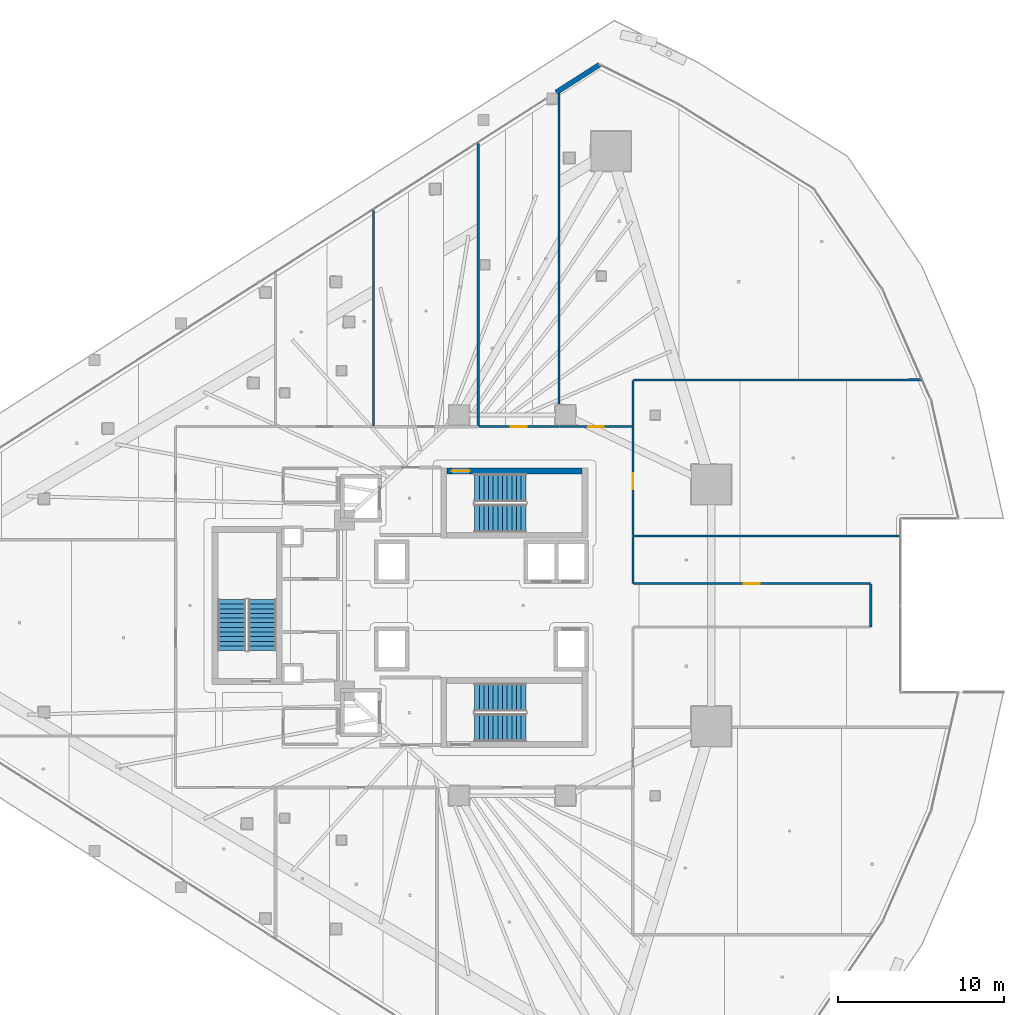
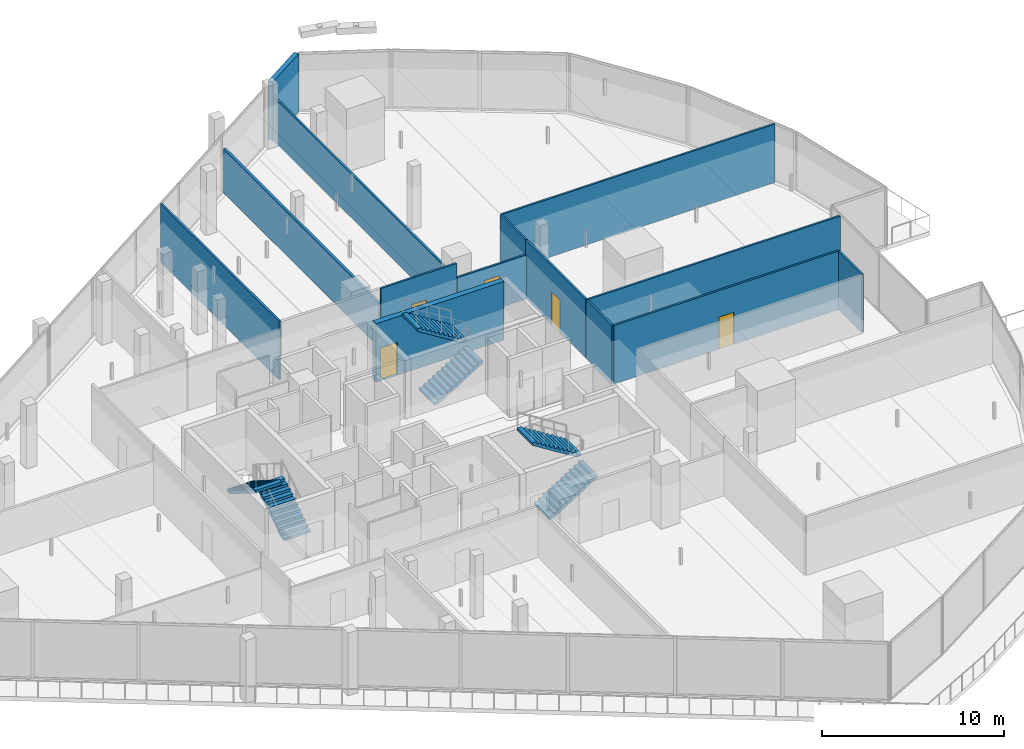
# One storey, part 31 of 45: 14 walls, 6 stair flights, 5 doors, 5 openings, 3 elements without a shape of their own.
"""IFC4 building model written with IfcOpenShell, lengths in metres."""

from ifc_helpers import new_model, si_unit, direction, frame, frame_2d, origin, place, context, subcontext, project, spatial, polyline, rectangle, outline, extrude, material, layer, layer_set, type_object, element, fill, aggregate, save


model = new_model("IFC4")

# Units and contexts
model_context = context("Model", 3, precision=1e-05, world=origin(), true_north=direction((0.0, 1.0)))
body_context = subcontext(model_context, "Body", "Model", "MODEL_VIEW")
ifc_project = project(units=[si_unit("LENGTHUNIT", "METRE"), si_unit("AREAUNIT", "SQUARE_METRE"), si_unit("VOLUMEUNIT", "CUBIC_METRE"), si_unit("PLANEANGLEUNIT", "RADIAN"), si_unit("MASSUNIT", "GRAM", prefix="KILO")], contexts=[model_context])

# Site, building, storey
site_placement = place(None, origin())
site = spatial("IfcSite", under=ifc_project, at=site_placement, CompositionType="ELEMENT")
building_placement = place(site_placement, origin())
building = spatial("IfcBuilding", under=site, at=building_placement, Name="Qorvath Tower", CompositionType="ELEMENT")
storey_placement = place(building_placement, frame((0.0, 0.0, 66.0)))
storey = spatial("IfcBuildingStorey", under=building, at=storey_placement, Name="L14", CompositionType="ELEMENT", Elevation=66.0)

# Walls
ifc_material_1 = material(Name="Double acoustic gypsum board on steel studs", Category="steel")
ifc_layer_1 = layer(ifc_material_1, 0.159912109375)
ifc_layer_set_1 = layer_set([ifc_layer_1], Name="IW-ACOUSTIC-160")
wall_type_1 = type_object("IfcWallType", Name="IW-ACOUSTIC-160", PredefinedType="PARTITIONING", material=ifc_layer_set_1)
wall_1_placement = place(storey_placement, frame((-22.441162109375, 10.783203125, 0.0), z_axis=(0.0, 0.0, 1.0), x_axis=(0.0, 1.0, 0.0)))
element("IfcWall", 1, at=wall_1_placement, inside=storey, type_object=wall_type_1, Name="Interior Partition IW-T1-L14-023", PredefinedType="PARTITIONING", context=body_context, shape_type="SweptSolid", body=[
    extrude(rectangle(XDim=17.01513671875, YDim=0.159912109375, at=frame_2d((8.507568359375, 0.0))), origin(), (0.0, 0.0, 1.0), 2.956787109375),
])
ifc_material_2 = material(Name="Gypsum board on metal studs with mineral wool", Category="gypsum")
ifc_layer_2 = layer(ifc_material_2, 0.125)
ifc_layer_set_2 = layer_set([ifc_layer_2], Name="IW-PART-125")
wall_type_2 = type_object("IfcWallType", Name="IW-PART-125", PredefinedType="PARTITIONING", material=ifc_layer_set_2)
wall_2_placement = place(storey_placement, frame((-28.759521484375, 10.783203125, 0.0), z_axis=(0.0, 0.0, 1.0), x_axis=(0.0, 1.0, 0.0)))
element("IfcWall", 2, at=wall_2_placement, inside=storey, type_object=wall_type_2, Name="Interior Partition IW-T1-L14-020", PredefinedType="PARTITIONING", context=body_context, shape_type="SweptSolid", body=[
    extrude(rectangle(XDim=12.976806640625, YDim=0.125, at=frame_2d((6.48828125, 0.0))), origin(), (0.0, 0.0, 1.0), 3.919921875),
])

# Wall, opening, door
wall_3_placement = place(storey_placement, frame((-22.408203125, 10.758056640625, 0.0), z_axis=(0.0, 0.0, 1.0), x_axis=(1.0, 0.0, 0.0)))
wall_3 = element("IfcWall", 3, at=wall_3_placement, inside=storey, type_object=wall_type_2, Name="Interior Partition IW-T1-L14-024", PredefinedType="PARTITIONING", context=body_context, shape_type="SweptSolid", body=[
    extrude(rectangle(XDim=4.8017578125, YDim=0.125, at=frame_2d((2.40087890625, 0.0))), origin(), (0.0, 0.0, 1.0), 3.919921875),
])
opening_1_placement = place(wall_3_placement, frame((1.92578125, 0.0, 0.0)))
opening_1 = element("IfcOpeningElement", 4, at=opening_1_placement, cuts=wall_3, Name="Opening D-T1-L14-07", PredefinedType="OPENING", context=body_context, shape_type="SweptSolid", body=[
    extrude(rectangle(XDim=0.949951171875, YDim=2.14990234375, at=frame_2d((0.47509765625, 1.074951171875))), frame((0.0, 0.072509765625, 0.0), z_axis=(0.0, -1.0, 0.0), x_axis=(1.0, 0.0, 0.0)), (0.0, 0.0, 1.0), 0.14501953125),
])
ifc_material_3 = material(Name="Solid-core American white oak veneer", Category="wood")
door_type_1 = type_object("IfcDoorType", Name="D-01", OperationType="NOTDEFINED", PredefinedType="DOOR", material=ifc_material_3)
door_1_placement = place(opening_1_placement, origin())
door_1 = element("IfcDoor", 5, at=door_1_placement, inside=storey, type_object=door_type_1, Name="L14-03 Design Pin-Up Atelier Door D-T1-L14-07", OperationType="SINGLE_SWING_RIGHT", OverallHeight=2.14990234375, OverallWidth=0.949951171875, PredefinedType="DOOR", context=body_context, shape_type="SweptSolid", body=[
    extrude(rectangle(XDim=0.949951171875, YDim=2.14990234375, at=frame_2d((0.47509765625, 1.074951171875))), frame((0.0, 0.02490234375, 0.0), z_axis=(0.0, -1.0, 0.0), x_axis=(1.0, 0.0, 0.0)), (0.0, 0.0, 1.0), 0.050048828125),
])
fill(opening_1, door_1)

# Wall
wall_4_placement = place(storey_placement, frame((-17.58154296875, 12.114990234375, 0.0), z_axis=(0.0, 0.0, 1.0), x_axis=(0.0, 1.0, 0.0)))
element("IfcWall", 6, at=wall_4_placement, inside=storey, type_object=wall_type_2, Name="Interior Partition IW-T1-L14-025", PredefinedType="PARTITIONING", context=body_context, shape_type="SweptSolid", body=[
    extrude(rectangle(XDim=18.789306640625, YDim=0.125, at=frame_2d((9.39453125, 0.0))), origin(), (0.0, 0.0, 1.0), 2.956787109375),
])

# Wall, opening, door
wall_5_placement = place(storey_placement, frame((-17.548583984375, 10.758056640625, 0.0), z_axis=(0.0, 0.0, 1.0), x_axis=(1.0, 0.0, 0.0)))
wall_5 = element("IfcWall", 7, at=wall_5_placement, inside=storey, type_object=wall_type_2, Name="Interior Partition IW-T1-L14-026", PredefinedType="PARTITIONING", context=body_context, shape_type="SweptSolid", body=[
    extrude(rectangle(XDim=4.373779296875, YDim=0.125, at=frame_2d((2.18701171875, 0.0))), origin(), (0.0, 0.0, 1.0), 2.956787109375),
])
opening_2_placement = place(wall_5_placement, frame((1.7119140625, 0.0, 0.0)))
opening_2 = element("IfcOpeningElement", 8, at=opening_2_placement, cuts=wall_5, Name="Opening D-T1-L14-08", PredefinedType="OPENING", context=body_context, shape_type="SweptSolid", body=[
    extrude(rectangle(XDim=0.949951171875, YDim=2.14990234375, at=frame_2d((0.47509765625, 1.074951171875))), frame((0.0, 0.072509765625, 0.0), z_axis=(0.0, -1.0, 0.0), x_axis=(1.0, 0.0, 0.0)), (0.0, 0.0, 1.0), 0.14501953125),
])
door_2_placement = place(opening_2_placement, origin())
door_2 = element("IfcDoor", 9, at=door_2_placement, inside=storey, type_object=door_type_1, Name="L14-04 Executive Partner Office Door D-T1-L14-08", OperationType="SINGLE_SWING_LEFT", OverallHeight=2.14990234375, OverallWidth=0.949951171875, PredefinedType="DOOR", context=body_context, shape_type="SweptSolid", body=[
    extrude(rectangle(XDim=0.949951171875, YDim=2.14990234375, at=frame_2d((0.47509765625, 1.074951171875))), frame((0.0, 0.02490234375, 0.0), z_axis=(0.0, -1.0, 0.0), x_axis=(1.0, 0.0, 0.0)), (0.0, 0.0, 1.0), 0.050048828125),
])
fill(opening_2, door_2)

# Walls
wall_6_placement = place(storey_placement, frame((-13.14990234375, 13.539794921875, 0.0), z_axis=(0.0, 0.0, 1.0), x_axis=(0.0, -1.0, 0.0)))
element("IfcWall", 10, at=wall_6_placement, inside=storey, type_object=wall_type_2, Name="Interior Partition IW-T1-L14-027", PredefinedType="PARTITIONING", context=body_context, shape_type="SweptSolid", body=[
    extrude(rectangle(XDim=2.756591796875, YDim=0.125, at=frame_2d((1.37841796875, 0.0))), origin(), (0.0, 0.0, 1.0), 3.919921875),
])
wall_7_placement = place(storey_placement, frame((-13.125, 13.564697265625, 0.0), z_axis=(0.0, 0.0, 1.0), x_axis=(0.999999720425, 0.000747763554, 0.0)))
element("IfcWall", 11, at=wall_7_placement, inside=storey, type_object=wall_type_2, Name="Interior Partition IW-T1-L14-028", PredefinedType="PARTITIONING", context=body_context, shape_type="SweptSolid", body=[
    extrude(rectangle(XDim=17.30419921875, YDim=0.125, at=frame_2d((8.652099609375, 0.0))), origin(), (0.0, 0.0, 1.0), 3.919921875),
])
wall_8_placement = place(storey_placement, frame((2.877685546875, 4.166015625, 0.0), z_axis=(0.0, 0.0, 1.0), x_axis=(-1.0, 0.0, 0.0)))
element("IfcWall", 12, at=wall_8_placement, inside=storey, type_object=wall_type_2, Name="Interior Partition IW-T1-L14-039", PredefinedType="PARTITIONING", context=body_context, shape_type="SweptSolid", body=[
    extrude(rectangle(XDim=15.994873046875, YDim=0.125, at=frame_2d((7.99755859375, 0.0))), origin(), (0.0, 0.0, 1.0), 3.919921875),
])
wall_9_placement = place(storey_placement, frame((-13.14208984375, 4.14111328125, 0.0), z_axis=(0.0, 0.0, 1.0), x_axis=(0.0, -1.0, 0.0)))
element("IfcWall", 13, at=wall_9_placement, inside=storey, type_object=wall_type_2, Name="Interior Partition IW-T1-L14-040", PredefinedType="PARTITIONING", context=body_context, shape_type="SweptSolid", body=[
    extrude(rectangle(XDim=2.80810546875, YDim=0.125, at=frame_2d((1.404052734375, 0.0))), origin(), (0.0, 0.0, 1.0), 3.919921875),
])

# Wall, opening, door
wall_10_placement = place(storey_placement, frame((1.140380859375, 1.30810546875, 0.0), z_axis=(0.0, 0.0, 1.0), x_axis=(-1.0, 0.0, 0.0)))
wall_10 = element("IfcWall", 14, at=wall_10_placement, inside=storey, type_object=wall_type_2, Name="Interior Partition IW-T1-L14-041", PredefinedType="PARTITIONING", context=body_context, shape_type="SweptSolid", body=[
    extrude(rectangle(XDim=14.257568359375, YDim=0.125, at=frame_2d((7.12890625, 0.0))), origin(), (0.0, 0.0, 1.0), 3.919921875),
])
opening_3_placement = place(wall_10_placement, frame((6.65380859375, 0.0, 0.0)))
opening_3 = element("IfcOpeningElement", 15, at=opening_3_placement, cuts=wall_10, Name="Opening D-T1-L14-12", PredefinedType="OPENING", context=body_context, shape_type="SweptSolid", body=[
    extrude(rectangle(XDim=0.949951171875, YDim=2.14990234375, at=frame_2d((0.47509765625, 1.074951171875))), frame((0.0, 0.072509765625, 0.0), z_axis=(0.0, -1.0, 0.0), x_axis=(1.0, 0.0, 0.0)), (0.0, 0.0, 1.0), 0.14501953125),
])
door_3_placement = place(opening_3_placement, origin())
door_3 = element("IfcDoor", 16, at=door_3_placement, inside=storey, type_object=door_type_1, Name="L14-08 Engineering Documentation Suite Door D-T1-L14-12", OperationType="SINGLE_SWING_LEFT", OverallHeight=2.14990234375, OverallWidth=0.949951171875, PredefinedType="DOOR", context=body_context, shape_type="SweptSolid", body=[
    extrude(rectangle(XDim=0.949951171875, YDim=2.14990234375, at=frame_2d((0.47509765625, 1.074951171875))), frame((0.0, 0.02490234375, 0.0), z_axis=(0.0, -1.0, 0.0), x_axis=(1.0, 0.0, 0.0)), (0.0, 0.0, 1.0), 0.050048828125),
])
fill(opening_3, door_3)

# Wall
wall_11_placement = place(storey_placement, frame((1.16552734375, -1.283203125, 0.0), z_axis=(0.0, 0.0, 1.0), x_axis=(0.0, 1.0, 0.0)))
element("IfcWall", 17, at=wall_11_placement, inside=storey, type_object=wall_type_2, Name="Interior Partition IW-T1-L14-042", PredefinedType="PARTITIONING", context=body_context, shape_type="SweptSolid", body=[
    extrude(rectangle(XDim=2.56640625, YDim=0.125, at=frame_2d((1.283203125, 0.0))), origin(), (0.0, 0.0, 1.0), 3.919921875),
])

# Wall, opening, door
wall_12_placement = place(storey_placement, frame((-13.14208984375, 10.75830078125, 0.0), z_axis=(0.0, 0.0, 1.0), x_axis=(0.0, -1.0, 0.0)))
wall_12 = element("IfcWall", 18, at=wall_12_placement, inside=storey, type_object=wall_type_2, Name="Interior Partition IW-T1-L14-045", PredefinedType="PARTITIONING", context=body_context, shape_type="SweptSolid", body=[
    extrude(rectangle(XDim=6.5595703125, YDim=0.125, at=frame_2d((3.27978515625, 0.0))), origin(), (0.0, 0.0, 1.0), 3.919921875),
])
opening_4_placement = place(wall_12_placement, frame((2.8046875, 0.0, 0.0)))
opening_4 = element("IfcOpeningElement", 19, at=opening_4_placement, cuts=wall_12, Name="Opening D-T1-L14-13", PredefinedType="OPENING", context=body_context, shape_type="SweptSolid", body=[
    extrude(rectangle(XDim=0.949951171875, YDim=2.14990234375, at=frame_2d((0.47509765625, 1.074951171875))), frame((0.0, 0.072509765625, 0.0), z_axis=(0.0, -1.0, 0.0), x_axis=(1.0, 0.0, 0.0)), (0.0, 0.0, 1.0), 0.14501953125),
])
door_4_placement = place(opening_4_placement, origin())
door_4 = element("IfcDoor", 20, at=door_4_placement, inside=storey, type_object=door_type_1, Name="L14-09 Open Workplace Studio Door D-T1-L14-13", OperationType="SINGLE_SWING_RIGHT", OverallHeight=2.14990234375, OverallWidth=0.949951171875, PredefinedType="DOOR", context=body_context, shape_type="SweptSolid", body=[
    extrude(rectangle(XDim=0.949951171875, YDim=2.14990234375, at=frame_2d((0.47509765625, 1.074951171875))), frame((0.0, 0.02490234375, 0.0), z_axis=(0.0, -1.0, 0.0), x_axis=(1.0, 0.0, 0.0)), (0.0, 0.0, 1.0), 0.050048828125),
])
fill(opening_4, door_4)

ifc_material_4 = material(Name="Concrete C60/75", Category="concrete")
ifc_layer_3 = layer(ifc_material_4, 0.35009765625)
ifc_layer_set_3 = layer_set([ifc_layer_3], Name="SW-STAIR")
wall_type_3 = type_object("IfcWallType", Name="SW-STAIR", PredefinedType="SHEAR", material=ifc_layer_set_3)
wall_13_placement = place(storey_placement, frame((-16.215087890625, 8.0849609375, 0.0), z_axis=(0.0, 0.0, 1.0), x_axis=(-1.0, 0.0, 0.0)))
wall_13 = element("IfcWall", 21, at=wall_13_placement, inside=storey, type_object=wall_type_3, Name="Stair TS1 Shear Wall L14 RIGHT", PredefinedType="SHEAR", context=body_context, shape_type="SweptSolid", body=[
    extrude(rectangle(XDim=8.119873046875, YDim=0.35009765625, at=frame_2d((4.06005859375, 0.0))), origin(), (0.0, 0.0, 1.0), 3.919921875),
])
opening_5_placement = place(wall_13_placement, frame((6.739990234375, 0.0, 0.0)))
opening_5 = element("IfcOpeningElement", 22, at=opening_5_placement, cuts=wall_13, Name="Opening D-TS1-L14", PredefinedType="OPENING", context=body_context, shape_type="SweptSolid", body=[
    extrude(rectangle(XDim=1.10009765625, YDim=2.199951171875, at=frame_2d((0.550048828125, 1.10009765625))), frame((0.0, 0.18505859375, 0.0), z_axis=(0.0, -1.0, 0.0), x_axis=(1.0, 0.0, 0.0)), (0.0, 0.0, 1.0), 0.3701171875),
])
ifc_material_5 = material(Name="Painted galvanised hollow metal", Category="steel")
door_type_2 = type_object("IfcDoorType", Name="FD-90", OperationType="NOTDEFINED", PredefinedType="DOOR", material=ifc_material_5)
door_5_placement = place(opening_5_placement, origin())
door_5 = element("IfcDoor", 23, at=door_5_placement, inside=storey, type_object=door_type_2, Name="Stair TS1 Fire Door L14", OperationType="SINGLE_SWING_LEFT", OverallHeight=2.199951171875, OverallWidth=1.10009765625, PredefinedType="DOOR", context=body_context, shape_type="SweptSolid", body=[
    extrude(rectangle(XDim=1.10009765625, YDim=2.199951171875, at=frame_2d((0.550048828125, 1.10009765625))), frame((0.0, 0.02490234375, 0.0), z_axis=(0.0, -1.0, 0.0), x_axis=(1.0, 0.0, 0.0)), (0.0, 0.0, 1.0), 0.050048828125),
])
fill(opening_5, door_5)

# Wall
ifc_material_6 = material(Name="Precast concrete C45/55", Category="concrete")
ifc_layer_4 = layer(ifc_material_6, 0.300048828125)
ifc_layer_set_4 = layer_set([ifc_layer_4], Name="WL-EW-LOG-300")
wall_type_4 = type_object("IfcWallType", Name="WL-EW-LOG-300", PredefinedType="SOLIDWALL", material=ifc_layer_set_4)
wall_14_placement = place(storey_placement, frame((-17.760498046875, 30.8701171875, 0.0), z_axis=(0.0, 0.0, 1.0), x_axis=(0.842632568885, 0.538488954254, 0.0)))
element("IfcWall", 24, at=wall_14_placement, inside=storey, type_object=wall_type_4, Name="Tower Precast Loggia Wall L14-16.1", PredefinedType="SOLIDWALL", context=body_context, shape_type="SweptSolid", body=[
    extrude(rectangle(XDim=3.092041015625, YDim=0.300048828125, at=frame_2d((1.5458984375, 0.0))), origin(), (0.0, 0.0, 1.0), 3.919921875),
])

# Stair, stair flights
ifc_material_7 = material(Name="Concrete C50/60", Category="concrete")
stair_type = type_object("IfcStairType", Name="ST-H420", PredefinedType="HALF_TURN_STAIR", material=ifc_material_7)
stair_1_placement = place(storey_placement, origin())
stair_1 = element("IfcStair", 25, at=stair_1_placement, inside=storey, type_object=stair_type, Name="L14 Tower Exit Stair 1", PredefinedType="HALF_TURN_STAIR")
ifc_material_8 = material(Name="Concrete C50/60", Category="concrete")
ifc_layer_5 = layer(ifc_material_8, 0.14990234375)
ifc_layer_set_5 = layer_set([ifc_layer_5], Name="SF-H420")
stair_flight_type = type_object("IfcStairFlightType", Name="SF-H420", PredefinedType="STRAIGHT", material=ifc_layer_set_5)
stair_flight_1_placement = place(storey_placement, frame((-22.669921875, 5.239990234375, 0.0), z_axis=(0.0, 0.0, 1.0), x_axis=(1.0, 0.0, 0.0)))
stair_flight_1 = element("IfcStairFlight", 26, at=stair_flight_1_placement, type_object=stair_flight_type, Name="TS1 flight 1", NumberOfRisers=12, NumberOfTreads=11, PredefinedType="STRAIGHT", RiserHeight=0.175, TreadLength=0.28, context=body_context, shape_type="SweptSolid", body=[
    extrude(outline(polyline([(0.0, 0.0), (0.0, 0.175048828125), (0.280029296875, 0.175048828125), (0.280029296875, 0.35009765625), (0.56005859375, 0.35009765625), (0.56005859375, 0.52490234375), (0.840087890625, 0.52490234375), (0.840087890625, 0.699951171875), (1.1201171875, 0.699951171875), (1.1201171875, 0.875), (1.39990234375, 0.875), (1.39990234375, 1.050048828125), (1.679931640625, 1.050048828125), (1.679931640625, 1.22509765625), (1.9599609375, 1.22509765625), (1.9599609375, 1.39990234375), (2.239990234375, 1.39990234375), (2.239990234375, 1.574951171875), (2.52001953125, 1.574951171875), (2.52001953125, 1.75), (2.800048828125, 1.75), (2.800048828125, 1.925048828125), (3.080078125, 1.925048828125), (3.080078125, 2.10009765625), (3.080078125, 1.748291015625), (0.28271484375, 0.0), (0.0, 0.0)])), frame((0.0, 0.83984375, 0.0), z_axis=(0.0, -1.0, 0.0), x_axis=(1.0, 0.0, 0.0)), (0.0, 0.0, 1.0), 1.679931640625),
])
stair_flight_2_placement = place(storey_placement, frame((-19.590087890625, 7.070068359375, 2.10009765625), z_axis=(0.0, 0.0, 1.0), x_axis=(-1.0, 0.0, 0.0)))
stair_flight_2 = element("IfcStairFlight", 27, at=stair_flight_2_placement, type_object=stair_flight_type, Name="TS1 flight 2", NumberOfRisers=12, NumberOfTreads=11, PredefinedType="STRAIGHT", RiserHeight=0.175, TreadLength=0.28, context=body_context, shape_type="SweptSolid", body=[
    extrude(outline(polyline([(0.0, 0.0), (0.0, 0.175048828125), (0.280029296875, 0.175048828125), (0.280029296875, 0.35009765625), (0.56005859375, 0.35009765625), (0.56005859375, 0.52490234375), (0.840087890625, 0.52490234375), (0.840087890625, 0.699951171875), (1.1201171875, 0.699951171875), (1.1201171875, 0.875), (1.39990234375, 0.875), (1.39990234375, 1.050048828125), (1.679931640625, 1.050048828125), (1.679931640625, 1.22509765625), (1.9599609375, 1.22509765625), (1.9599609375, 1.39990234375), (2.239990234375, 1.39990234375), (2.239990234375, 1.574951171875), (2.52001953125, 1.574951171875), (2.52001953125, 1.75), (2.800048828125, 1.75), (2.800048828125, 1.925048828125), (3.080078125, 1.925048828125), (3.080078125, 2.10009765625), (3.080078125, 1.748291015625), (0.28271484375, 0.0), (0.0, 0.0)])), frame((0.0, 0.83984375, 0.0), z_axis=(0.0, -1.0, 0.0), x_axis=(1.0, 0.0, 0.0)), (0.0, 0.0, 1.0), 1.679931640625),
])
aggregate(stair_1, [stair_flight_1, stair_flight_2])

stair_2_placement = place(storey_placement, origin())
stair_2 = element("IfcStair", 28, at=stair_2_placement, inside=storey, type_object=stair_type, Name="L14 Tower Exit Stair 2", PredefinedType="HALF_TURN_STAIR")
stair_flight_3_placement = place(storey_placement, frame((-22.669921875, -7.360107421875, 0.0), z_axis=(0.0, 0.0, 1.0), x_axis=(1.0, 0.0, 0.0)))
stair_flight_3 = element("IfcStairFlight", 29, at=stair_flight_3_placement, type_object=stair_flight_type, Name="TS2 flight 1", NumberOfRisers=12, NumberOfTreads=11, PredefinedType="STRAIGHT", RiserHeight=0.175, TreadLength=0.28, context=body_context, shape_type="SweptSolid", body=[
    extrude(outline(polyline([(0.0, 0.0), (0.0, 0.175048828125), (0.280029296875, 0.175048828125), (0.280029296875, 0.35009765625), (0.56005859375, 0.35009765625), (0.56005859375, 0.52490234375), (0.840087890625, 0.52490234375), (0.840087890625, 0.699951171875), (1.1201171875, 0.699951171875), (1.1201171875, 0.875), (1.39990234375, 0.875), (1.39990234375, 1.050048828125), (1.679931640625, 1.050048828125), (1.679931640625, 1.22509765625), (1.9599609375, 1.22509765625), (1.9599609375, 1.39990234375), (2.239990234375, 1.39990234375), (2.239990234375, 1.574951171875), (2.52001953125, 1.574951171875), (2.52001953125, 1.75), (2.800048828125, 1.75), (2.800048828125, 1.925048828125), (3.080078125, 1.925048828125), (3.080078125, 2.10009765625), (3.080078125, 1.748291015625), (0.28271484375, 0.0), (0.0, 0.0)])), frame((0.0, 0.83984375, 0.0), z_axis=(0.0, -1.0, 0.0), x_axis=(1.0, 0.0, 0.0)), (0.0, 0.0, 1.0), 1.679931640625),
])
stair_flight_4_placement = place(storey_placement, frame((-19.590087890625, -5.530029296875, 2.10009765625), z_axis=(0.0, 0.0, 1.0), x_axis=(-1.0, 0.0, 0.0)))
stair_flight_4 = element("IfcStairFlight", 30, at=stair_flight_4_placement, type_object=stair_flight_type, Name="TS2 flight 2", NumberOfRisers=12, NumberOfTreads=11, PredefinedType="STRAIGHT", RiserHeight=0.175, TreadLength=0.28, context=body_context, shape_type="SweptSolid", body=[
    extrude(outline(polyline([(0.0, 0.0), (0.0, 0.175048828125), (0.280029296875, 0.175048828125), (0.280029296875, 0.35009765625), (0.56005859375, 0.35009765625), (0.56005859375, 0.52490234375), (0.840087890625, 0.52490234375), (0.840087890625, 0.699951171875), (1.1201171875, 0.699951171875), (1.1201171875, 0.875), (1.39990234375, 0.875), (1.39990234375, 1.050048828125), (1.679931640625, 1.050048828125), (1.679931640625, 1.22509765625), (1.9599609375, 1.22509765625), (1.9599609375, 1.39990234375), (2.239990234375, 1.39990234375), (2.239990234375, 1.574951171875), (2.52001953125, 1.574951171875), (2.52001953125, 1.75), (2.800048828125, 1.75), (2.800048828125, 1.925048828125), (3.080078125, 1.925048828125), (3.080078125, 2.10009765625), (3.080078125, 1.748291015625), (0.28271484375, 0.0), (0.0, 0.0)])), frame((0.0, 0.83984375, 0.0), z_axis=(0.0, -1.0, 0.0), x_axis=(1.0, 0.0, 0.0)), (0.0, 0.0, 1.0), 1.679931640625),
])
aggregate(stair_2, [stair_flight_3, stair_flight_4])

stair_3_placement = place(storey_placement, origin())
stair_3 = element("IfcStair", 31, at=stair_3_placement, inside=storey, type_object=stair_type, Name="L14 Tower Exit Stair 3", PredefinedType="HALF_TURN_STAIR")
stair_flight_5_placement = place(storey_placement, frame((-35.43994140625, -2.719970703125, 0.0), z_axis=(0.0, 0.0, 1.0), x_axis=(0.0, 1.0, 0.0)))
stair_flight_5 = element("IfcStairFlight", 32, at=stair_flight_5_placement, type_object=stair_flight_type, Name="TS3 flight 1", NumberOfRisers=12, NumberOfTreads=11, PredefinedType="STRAIGHT", RiserHeight=0.175, TreadLength=0.28, context=body_context, shape_type="SweptSolid", body=[
    extrude(outline(polyline([(0.0, 0.0), (0.0, 0.175048828125), (0.280029296875, 0.175048828125), (0.280029296875, 0.35009765625), (0.56005859375, 0.35009765625), (0.56005859375, 0.52490234375), (0.840087890625, 0.52490234375), (0.840087890625, 0.699951171875), (1.1201171875, 0.699951171875), (1.1201171875, 0.875), (1.39990234375, 0.875), (1.39990234375, 1.050048828125), (1.679931640625, 1.050048828125), (1.679931640625, 1.22509765625), (1.9599609375, 1.22509765625), (1.9599609375, 1.39990234375), (2.239990234375, 1.39990234375), (2.239990234375, 1.574951171875), (2.52001953125, 1.574951171875), (2.52001953125, 1.75), (2.800048828125, 1.75), (2.800048828125, 1.925048828125), (3.080078125, 1.925048828125), (3.080078125, 2.10009765625), (3.080078125, 1.748291015625), (0.28271484375, 0.0), (0.0, 0.0)])), frame((0.0, 0.83984375, 0.0), z_axis=(0.0, -1.0, 0.0), x_axis=(1.0, 0.0, 0.0)), (0.0, 0.0, 1.0), 1.679931640625),
])
stair_flight_6_placement = place(storey_placement, frame((-37.27001953125, 0.360107421875, 2.10009765625), z_axis=(0.0, 0.0, 1.0), x_axis=(0.0, -1.0, 0.0)))
stair_flight_6 = element("IfcStairFlight", 33, at=stair_flight_6_placement, type_object=stair_flight_type, Name="TS3 flight 2", NumberOfRisers=12, NumberOfTreads=11, PredefinedType="STRAIGHT", RiserHeight=0.175, TreadLength=0.28, context=body_context, shape_type="SweptSolid", body=[
    extrude(outline(polyline([(0.0, 0.0), (0.0, 0.175048828125), (0.280029296875, 0.175048828125), (0.280029296875, 0.35009765625), (0.56005859375, 0.35009765625), (0.56005859375, 0.52490234375), (0.840087890625, 0.52490234375), (0.840087890625, 0.699951171875), (1.1201171875, 0.699951171875), (1.1201171875, 0.875), (1.39990234375, 0.875), (1.39990234375, 1.050048828125), (1.679931640625, 1.050048828125), (1.679931640625, 1.22509765625), (1.9599609375, 1.22509765625), (1.9599609375, 1.39990234375), (2.239990234375, 1.39990234375), (2.239990234375, 1.574951171875), (2.52001953125, 1.574951171875), (2.52001953125, 1.75), (2.800048828125, 1.75), (2.800048828125, 1.925048828125), (3.080078125, 1.925048828125), (3.080078125, 2.10009765625), (3.080078125, 1.748291015625), (0.28271484375, 0.0), (0.0, 0.0)])), frame((0.0, 0.83984375, 0.0), z_axis=(0.0, -1.0, 0.0), x_axis=(1.0, 0.0, 0.0)), (0.0, 0.0, 1.0), 1.679931640625),
])
aggregate(stair_3, [stair_flight_5, stair_flight_6])

save(model, "model.ifc")
